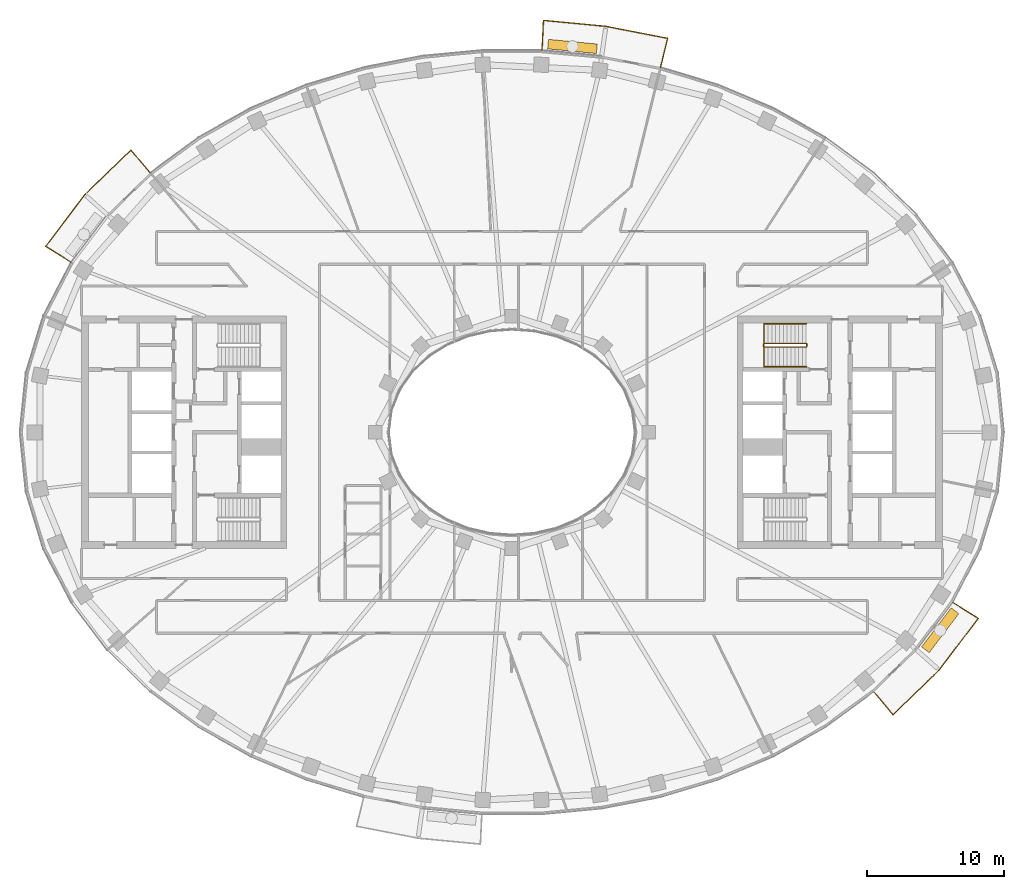
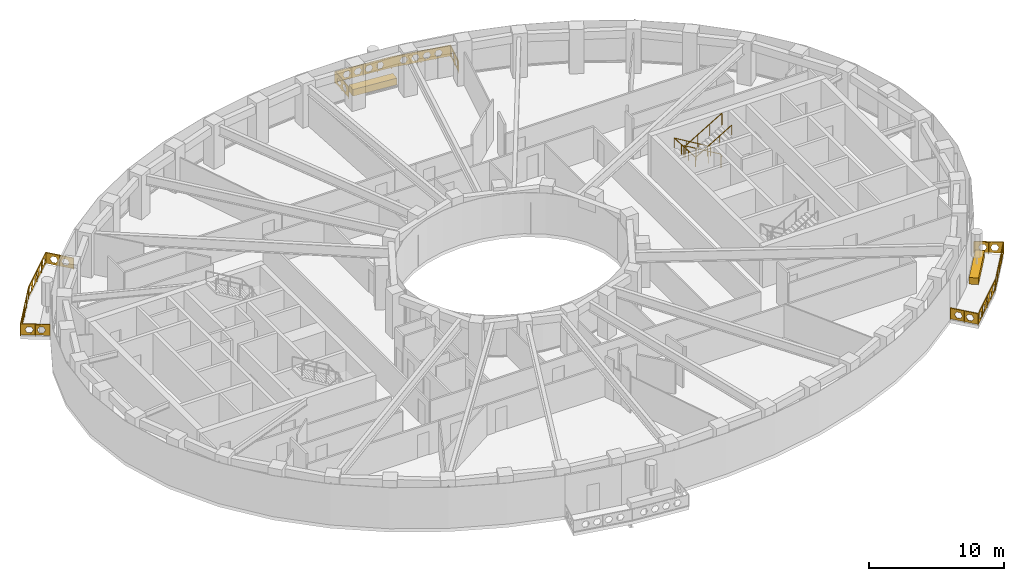
# One storey, part 15 of 16: 5 railings, 2 coverings.
"""IFC4 building model written with IfcOpenShell, lengths in metres."""

from ifc_helpers import new_model, si_unit, direction, frame, origin, origin_2d, place, context, subcontext, project, spatial, polyline, rectangle, outline, extrude, material, type_object, element, save


model = new_model("IFC4")

# Units and contexts
model_context = context("Model", 3, precision=1e-05, world=origin(), true_north=direction((0.0, 1.0)))
body_context = subcontext(model_context, "Body", "Model", "MODEL_VIEW")
ifc_project = project(units=[si_unit("LENGTHUNIT", "METRE"), si_unit("AREAUNIT", "SQUARE_METRE"), si_unit("VOLUMEUNIT", "CUBIC_METRE"), si_unit("PLANEANGLEUNIT", "RADIAN"), si_unit("MASSUNIT", "GRAM", prefix="KILO")], contexts=[model_context])

# Site, building, storey
site_placement = place(None, origin())
site = spatial("IfcSite", under=ifc_project, at=site_placement, CompositionType="ELEMENT")
building_placement = place(site_placement, origin())
building = spatial("IfcBuilding", under=site, at=building_placement, Name="Noorbagh Ring Tower", CompositionType="ELEMENT")
storey_placement = place(building_placement, frame((0.0, 0.0, 249.5)))
storey = spatial("IfcBuildingStorey", under=building, at=storey_placement, Name="L52", CompositionType="ELEMENT", Elevation=249.5)

# Railings
ifc_material_1 = material(Name="Stainless steel", Category="steel")
railing_type_1 = type_object("IfcRailingType", Name="CORE-STAIR-GUARD", PredefinedType="GUARDRAIL", material=ifc_material_1)
railing_1_placement = place(storey_placement, frame((21.580078125, 6.449951171875, 0.0)))
element("IfcRailing", 1, at=railing_1_placement, inside=storey, type_object=railing_type_1, Name="L52 ST3 stair guard", PredefinedType="GUARDRAIL", context=body_context, shape_type="SweptSolid", body=[
    extrude(rectangle(XDim=0.048095703125, YDim=0.048095703125, at=origin_2d()), frame((0.0, 0.0, 1.076171875), z_axis=(0.0, -1.0, 0.0), x_axis=(1.0, 0.0, 0.0)), (0.0, 0.0, 1.0), 0.14990234375),
    extrude(rectangle(XDim=0.048095703125, YDim=0.048095703125, at=origin_2d()), frame((0.0, -0.14990234375, 1.076171875), z_axis=(-0.188775798145, 0.754182335027, 0.628945707965), x_axis=(-0.970072785993, -0.242814311512, 0.0)), (0.0, 0.0, 1.0), 0.26513671875),
    extrude(rectangle(XDim=0.048095703125, YDim=0.048095703125, at=origin_2d()), frame((-0.050048828125, 0.050048828125, 1.24267578125), z_axis=(-0.859308565015, 0.0, 0.511457515432), x_axis=(0.0, -1.0, 0.0)), (0.0, 0.0, 1.0), 3.58447265625),
    extrude(rectangle(XDim=0.048095703125, YDim=0.048095703125, at=origin_2d()), frame((-3.130126953125, 0.050048828125, 3.076171875), z_axis=(-0.707106781187, -0.707106781187, 0.0), x_axis=(0.707106781187, -0.707106781187, 0.0)), (0.0, 0.0, 1.0), 0.07080078125),
    extrude(rectangle(XDim=0.048095703125, YDim=0.048095703125, at=origin_2d()), frame((-3.18017578125, 0.0, 3.076171875), z_axis=(0.0, -1.0, 0.0), x_axis=(1.0, 0.0, 0.0)), (0.0, 0.0, 1.0), 0.14990234375),
    extrude(rectangle(XDim=0.048095703125, YDim=0.048095703125, at=origin_2d()), frame((-3.18017578125, -0.14990234375, 3.076171875), z_axis=(0.27628659633, -0.27628659633, 0.920506074601), x_axis=(0.707106781187, 0.707106781187, 0.0)), (0.0, 0.0, 1.0), 0.18115234375),
    extrude(rectangle(XDim=0.048095703125, YDim=0.048095703125, at=origin_2d()), frame((-3.130126953125, -0.199951171875, 3.24267578125), z_axis=(0.859308565015, 0.0, 0.511457515432), x_axis=(0.0, 1.0, 0.0)), (0.0, 0.0, 1.0), 3.58447265625),
    extrude(rectangle(XDim=0.0419921875, YDim=0.0419921875, at=origin_2d()), origin(), (0.0, 0.0, 1.0), 1.052001953125),
    extrude(rectangle(XDim=0.0419921875, YDim=0.0419921875, at=origin_2d()), frame((-1.07666015625, 0.050048828125, 0.77783203125)), (0.0, 0.0, 1.0), 1.052001953125),
    extrude(rectangle(XDim=0.0419921875, YDim=0.0419921875, at=origin_2d()), frame((-2.103515625, 0.050048828125, 1.388916015625)), (0.0, 0.0, 1.0), 1.052001953125),
    extrude(rectangle(XDim=0.0419921875, YDim=0.0419921875, at=origin_2d()), frame((-3.130126953125, 0.050048828125, 2.0)), (0.0, 0.0, 1.0), 1.052001953125),
    extrude(rectangle(XDim=0.0419921875, YDim=0.0419921875, at=origin_2d()), frame((-3.130126953125, -0.199951171875, 2.166748046875)), (0.0, 0.0, 1.0), 1.052001953125),
    extrude(rectangle(XDim=0.0419921875, YDim=0.0419921875, at=origin_2d()), frame((-2.103515625, -0.199951171875, 2.77783203125)), (0.0, 0.0, 1.0), 1.052001953125),
    extrude(rectangle(XDim=0.0419921875, YDim=0.0419921875, at=origin_2d()), frame((-1.07666015625, -0.199951171875, 3.388916015625)), (0.0, 0.0, 1.0), 1.052001953125),
    extrude(rectangle(XDim=0.0419921875, YDim=0.0419921875, at=origin_2d()), frame((-0.050048828125, -0.199951171875, 4.0)), (0.0, 0.0, 1.0), 1.052001953125),
])
ifc_material_2 = material(Name="Stainless steel", Category="steel")
railing_type_2 = type_object("IfcRailingType", Name="CORE-STAIR-HANDRAIL", PredefinedType="HANDRAIL", material=ifc_material_2)
railing_2_placement = place(storey_placement, frame((21.530029296875, 7.949951171875, 0.166748046875)))
element("IfcRailing", 2, at=railing_2_placement, inside=storey, type_object=railing_type_2, Name="L52 ST3 stair handrail", PredefinedType="HANDRAIL", context=body_context, shape_type="SweptSolid", body=[
    extrude(rectangle(XDim=0.048095703125, YDim=0.048095703125, at=origin_2d()), frame((0.0, 0.0, 0.8759765625), z_axis=(-0.859308565015, 0.0, 0.511457515432), x_axis=(0.0, -1.0, 0.0)), (0.0, 0.0, 1.0), 3.58447265625),
    extrude(rectangle(XDim=0.048095703125, YDim=0.048095703125, at=origin_2d()), frame((-3.080078125, 0.0, 2.708984375), z_axis=(0.0, -0.998601747152, 0.052863509014), x_axis=(1.0, 0.0, 0.0)), (0.0, 0.0, 1.0), 3.154296875),
    extrude(rectangle(XDim=0.048095703125, YDim=0.048095703125, at=origin_2d()), frame((-3.080078125, -3.14990234375, 2.8759765625), z_axis=(0.859308565015, 0.0, 0.511457515432), x_axis=(0.0, 1.0, 0.0)), (0.0, 0.0, 1.0), 3.58447265625),
    extrude(rectangle(XDim=0.0419921875, YDim=0.0419921875, at=origin_2d()), origin(), (0.0, 0.0, 1.0), 0.851806640625),
    extrude(rectangle(XDim=0.0419921875, YDim=0.0419921875, at=origin_2d()), frame((-1.026611328125, 0.0, 0.611083984375)), (0.0, 0.0, 1.0), 0.851806640625),
    extrude(rectangle(XDim=0.0419921875, YDim=0.0419921875, at=origin_2d()), frame((-2.053466796875, 0.0, 1.22216796875)), (0.0, 0.0, 1.0), 0.851806640625),
    extrude(rectangle(XDim=0.0419921875, YDim=0.0419921875, at=origin_2d()), frame((-3.080078125, 0.0, 1.833251953125)), (0.0, 0.0, 1.0), 0.851806640625),
    extrude(rectangle(XDim=0.0419921875, YDim=0.0419921875, at=origin_2d()), frame((-3.080078125, -1.050048828125, 1.888916015625)), (0.0, 0.0, 1.0), 0.851806640625),
    extrude(rectangle(XDim=0.0419921875, YDim=0.0419921875, at=origin_2d()), frame((-3.080078125, -2.099853515625, 1.9443359375)), (0.0, 0.0, 1.0), 0.851806640625),
    extrude(rectangle(XDim=0.0419921875, YDim=0.0419921875, at=origin_2d()), frame((-3.080078125, -3.14990234375, 2.0)), (0.0, 0.0, 1.0), 0.851806640625),
    extrude(rectangle(XDim=0.0419921875, YDim=0.0419921875, at=origin_2d()), frame((-2.053466796875, -3.14990234375, 2.611083984375)), (0.0, 0.0, 1.0), 0.851806640625),
    extrude(rectangle(XDim=0.0419921875, YDim=0.0419921875, at=origin_2d()), frame((-1.026611328125, -3.14990234375, 3.22216796875)), (0.0, 0.0, 1.0), 0.851806640625),
    extrude(rectangle(XDim=0.0419921875, YDim=0.0419921875, at=origin_2d()), frame((0.0, -3.14990234375, 3.833251953125)), (0.0, 0.0, 1.0), 0.851806640625),
])
ifc_material_3 = material(Name="Steel S275 black powder-coated", Category="steel")
railing_type_3 = type_object("IfcRailingType", Name="ENV-GUARD", PredefinedType="GUARDRAIL", material=ifc_material_3)
railing_3_placement = place(storey_placement, frame((10.865234375, 26.6943359375, 0.0)))
element("IfcRailing", 3, at=railing_3_placement, inside=storey, type_object=railing_type_3, Name="Balcony guard BN03", PredefinedType="GUARDRAIL", context=body_context, shape_type="SweptSolid", body=[
    extrude(rectangle(XDim=0.048095703125, YDim=0.048095703125, at=origin_2d()), frame((0.0, 0.0, 1.076171875), z_axis=(0.239848558412, 0.970810315679, 0.0), x_axis=(-0.970810315679, 0.239848558412, 0.0)), (0.0, 0.0, 1.0), 2.20263671875),
    extrude(rectangle(XDim=0.048095703125, YDim=0.048095703125, at=origin_2d()), frame((0.5283203125, 2.138427734375, 1.076171875), z_axis=(-0.981625049064, 0.1908199755, 0.0), x_axis=(-0.1908199755, -0.981625049064, 0.0)), (0.0, 0.0, 1.0), 4.603271484375),
    extrude(rectangle(XDim=0.048095703125, YDim=0.048095703125, at=origin_2d()), frame((-3.990478515625, 3.016845703125, 1.076171875), z_axis=(-0.995477555764, 0.094997031379, 0.0), x_axis=(-0.094997031379, -0.995477555764, 0.0)), (0.0, 0.0, 1.0), 4.59765625),
    extrude(rectangle(XDim=0.048095703125, YDim=0.048095703125, at=origin_2d()), frame((-8.5673828125, 3.45361328125, 1.076171875), z_axis=(-0.047554616162, -0.998868639252, 0.0), x_axis=(0.998868639252, -0.047554616162, 0.0)), (0.0, 0.0, 1.0), 2.202392578125),
    extrude(rectangle(XDim=0.0419921875, YDim=0.0419921875, at=origin_2d()), origin(), (0.0, 0.0, 1.0), 1.052001953125),
    extrude(rectangle(XDim=0.0419921875, YDim=0.0419921875, at=origin_2d()), frame((0.26416015625, 1.0693359375, 0.0)), (0.0, 0.0, 1.0), 1.052001953125),
    extrude(rectangle(XDim=0.0419921875, YDim=0.0419921875, at=origin_2d()), frame((0.5283203125, 2.138427734375, 0.0)), (0.0, 0.0, 1.0), 1.052001953125),
    extrude(rectangle(XDim=0.0419921875, YDim=0.0419921875, at=origin_2d()), frame((-0.601318359375, 2.35791015625, 0.0)), (0.0, 0.0, 1.0), 1.052001953125),
    extrude(rectangle(XDim=0.0419921875, YDim=0.0419921875, at=origin_2d()), frame((-1.73095703125, 2.57763671875, 0.0)), (0.0, 0.0, 1.0), 1.052001953125),
    extrude(rectangle(XDim=0.0419921875, YDim=0.0419921875, at=origin_2d()), frame((-2.86083984375, 2.79736328125, 0.0)), (0.0, 0.0, 1.0), 1.052001953125),
    extrude(rectangle(XDim=0.0419921875, YDim=0.0419921875, at=origin_2d()), frame((-3.990478515625, 3.016845703125, 0.0)), (0.0, 0.0, 1.0), 1.052001953125),
    extrude(rectangle(XDim=0.0419921875, YDim=0.0419921875, at=origin_2d()), frame((-5.134765625, 3.1259765625, 0.0)), (0.0, 0.0, 1.0), 1.052001953125),
    extrude(rectangle(XDim=0.0419921875, YDim=0.0419921875, at=origin_2d()), frame((-6.27880859375, 3.2353515625, 0.0)), (0.0, 0.0, 1.0), 1.052001953125),
    extrude(rectangle(XDim=0.0419921875, YDim=0.0419921875, at=origin_2d()), frame((-7.423095703125, 3.344482421875, 0.0)), (0.0, 0.0, 1.0), 1.052001953125),
    extrude(rectangle(XDim=0.0419921875, YDim=0.0419921875, at=origin_2d()), frame((-8.5673828125, 3.45361328125, 0.0)), (0.0, 0.0, 1.0), 1.052001953125),
    extrude(rectangle(XDim=0.0419921875, YDim=0.0419921875, at=origin_2d()), frame((-8.61962890625, 2.353515625, 0.0)), (0.0, 0.0, 1.0), 1.052001953125),
    extrude(rectangle(XDim=0.0419921875, YDim=0.0419921875, at=origin_2d()), frame((-8.672119140625, 1.253662109375, 0.0)), (0.0, 0.0, 1.0), 1.052001953125),
    extrude(outline(polyline([(0.0, 0.10009765625), (2.20263671875, 0.10009765625), (2.20263671875, 1.031982421875), (0.0, 1.031982421875), (0.0, 0.10009765625)]), holes=[polyline([(0.96142578125, 0.56591796875), (0.806396484375, 0.83447265625), (0.496337890625, 0.83447265625), (0.34130859375, 0.56591796875), (0.496337890625, 0.297607421875), (0.806396484375, 0.297607421875), (0.96142578125, 0.56591796875)]), polyline([(1.861328125, 0.56591796875), (1.706298828125, 0.83447265625), (1.396240234375, 0.83447265625), (1.241455078125, 0.56591796875), (1.396240234375, 0.297607421875), (1.706298828125, 0.297607421875), (1.861328125, 0.56591796875)])]), frame((-0.009765625, 0.00244140625, 0.0), z_axis=(0.970810315679, -0.239848558412, 0.0), x_axis=(0.239848558412, 0.970810315679, 0.0)), (0.0, 0.0, 1.0), 0.02001953125),
    extrude(outline(polyline([(0.0, 0.10009765625), (4.603271484375, 0.10009765625), (4.603271484375, 1.031982421875), (0.0, 1.031982421875), (0.0, 0.10009765625)]), holes=[polyline([(1.26171875, 0.56591796875), (1.106689453125, 0.83447265625), (0.796630859375, 0.83447265625), (0.6416015625, 0.56591796875), (0.796630859375, 0.297607421875), (1.106689453125, 0.297607421875), (1.26171875, 0.56591796875)]), polyline([(2.16162109375, 0.56591796875), (2.006591796875, 0.83447265625), (1.69677734375, 0.83447265625), (1.541748046875, 0.56591796875), (1.69677734375, 0.297607421875), (2.006591796875, 0.297607421875), (2.16162109375, 0.56591796875)]), polyline([(3.061767578125, 0.56591796875), (2.90673828125, 0.83447265625), (2.5966796875, 0.83447265625), (2.441650390625, 0.56591796875), (2.5966796875, 0.297607421875), (2.90673828125, 0.297607421875), (3.061767578125, 0.56591796875)]), polyline([(3.961669921875, 0.56591796875), (3.806640625, 0.83447265625), (3.49658203125, 0.83447265625), (3.341796875, 0.56591796875), (3.49658203125, 0.297607421875), (3.806640625, 0.297607421875), (3.961669921875, 0.56591796875)])]), frame((0.5263671875, 2.128662109375, 0.0), z_axis=(0.1908199755, 0.981625049064, 0.0), x_axis=(-0.981625049064, 0.1908199755, 0.0)), (0.0, 0.0, 1.0), 0.02001953125),
    extrude(outline(polyline([(0.0, 0.10009765625), (4.59765625, 0.10009765625), (4.59765625, 1.031982421875), (0.0, 1.031982421875), (0.0, 0.10009765625)]), holes=[polyline([(1.2587890625, 0.56591796875), (1.103759765625, 0.83447265625), (0.7939453125, 0.83447265625), (0.638916015625, 0.56591796875), (0.7939453125, 0.297607421875), (1.103759765625, 0.297607421875), (1.2587890625, 0.56591796875)]), polyline([(2.158935546875, 0.56591796875), (2.00390625, 0.83447265625), (1.69384765625, 0.83447265625), (1.538818359375, 0.56591796875), (1.69384765625, 0.297607421875), (2.00390625, 0.297607421875), (2.158935546875, 0.56591796875)]), polyline([(3.058837890625, 0.56591796875), (2.90380859375, 0.83447265625), (2.59375, 0.83447265625), (2.43896484375, 0.56591796875), (2.59375, 0.297607421875), (2.90380859375, 0.297607421875), (3.058837890625, 0.56591796875)]), polyline([(3.958740234375, 0.56591796875), (3.803955078125, 0.83447265625), (3.493896484375, 0.83447265625), (3.3388671875, 0.56591796875), (3.493896484375, 0.297607421875), (3.803955078125, 0.297607421875), (3.958740234375, 0.56591796875)])]), frame((-3.991455078125, 3.0068359375, 0.0), z_axis=(0.094997031379, 0.995477555764, 0.0), x_axis=(-0.995477555764, 0.094997031379, 0.0)), (0.0, 0.0, 1.0), 0.02001953125),
    extrude(outline(polyline([(0.0, 0.10009765625), (2.202392578125, 0.10009765625), (2.202392578125, 1.031982421875), (0.0, 1.031982421875), (0.0, 0.10009765625)]), holes=[polyline([(0.961181640625, 0.56591796875), (0.80615234375, 0.83447265625), (0.496337890625, 0.83447265625), (0.34130859375, 0.56591796875), (0.496337890625, 0.297607421875), (0.80615234375, 0.297607421875), (0.961181640625, 0.56591796875)]), polyline([(1.861328125, 0.56591796875), (1.706298828125, 0.83447265625), (1.396240234375, 0.83447265625), (1.2412109375, 0.56591796875), (1.396240234375, 0.297607421875), (1.706298828125, 0.297607421875), (1.861328125, 0.56591796875)])]), frame((-8.557373046875, 3.453125, 0.0), z_axis=(-0.998868639252, 0.047554616162, 0.0), x_axis=(-0.047554616162, -0.998868639252, 0.0)), (0.0, 0.0, 1.0), 0.02001953125),
])
railing_4_placement = place(storey_placement, frame((-26.463134765625, 18.983154296875, 0.0)))
element("IfcRailing", 4, at=railing_4_placement, inside=storey, type_object=railing_type_3, Name="Balcony guard BN06", PredefinedType="GUARDRAIL", context=body_context, shape_type="SweptSolid", body=[
    extrude(rectangle(XDim=0.048095703125, YDim=0.048095703125, at=origin_2d()), frame((0.0, 0.0, 1.076171875), z_axis=(-0.646413574048, 0.762987215677, 0.0), x_axis=(-0.762987215677, -0.646413574048, 0.0)), (0.0, 0.0, 1.0), 2.205322265625),
    extrude(rectangle(XDim=0.048095703125, YDim=0.048095703125, at=origin_2d()), frame((-1.425537109375, 1.6826171875, 1.076171875), z_axis=(-0.717212632946, -0.696854388766, 0.0), x_axis=(0.696854388766, -0.717212632946, 0.0)), (0.0, 0.0, 1.0), 4.700927734375),
    extrude(rectangle(XDim=0.048095703125, YDim=0.048095703125, at=origin_2d()), frame((-4.797119140625, -1.59326171875, 1.076171875), z_axis=(-0.604001613322, -0.796983093362, 0.0), x_axis=(0.796983093362, -0.604001613322, 0.0)), (0.0, 0.0, 1.0), 4.7353515625),
    extrude(rectangle(XDim=0.048095703125, YDim=0.048095703125, at=origin_2d()), frame((-7.6572265625, -5.3671875, 1.076171875), z_axis=(0.844852397829, -0.534999463442, 0.0), x_axis=(0.534999463442, 0.844852397829, 0.0)), (0.0, 0.0, 1.0), 2.207763671875),
    extrude(rectangle(XDim=0.0419921875, YDim=0.0419921875, at=origin_2d()), origin(), (0.0, 0.0, 1.0), 1.052001953125),
    extrude(rectangle(XDim=0.0419921875, YDim=0.0419921875, at=origin_2d()), frame((-0.712890625, 0.84130859375, 0.0)), (0.0, 0.0, 1.0), 1.052001953125),
    extrude(rectangle(XDim=0.0419921875, YDim=0.0419921875, at=origin_2d()), frame((-1.425537109375, 1.6826171875, 0.0)), (0.0, 0.0, 1.0), 1.052001953125),
    extrude(rectangle(XDim=0.0419921875, YDim=0.0419921875, at=origin_2d()), frame((-2.2685546875, 0.86376953125, 0.0)), (0.0, 0.0, 1.0), 1.052001953125),
    extrude(rectangle(XDim=0.0419921875, YDim=0.0419921875, at=origin_2d()), frame((-3.111328125, 0.044677734375, 0.0)), (0.0, 0.0, 1.0), 1.052001953125),
    extrude(rectangle(XDim=0.0419921875, YDim=0.0419921875, at=origin_2d()), frame((-3.9541015625, -0.7744140625, 0.0)), (0.0, 0.0, 1.0), 1.052001953125),
    extrude(rectangle(XDim=0.0419921875, YDim=0.0419921875, at=origin_2d()), frame((-4.797119140625, -1.59326171875, 0.0)), (0.0, 0.0, 1.0), 1.052001953125),
    extrude(rectangle(XDim=0.0419921875, YDim=0.0419921875, at=origin_2d()), frame((-5.51220703125, -2.53662109375, 0.0)), (0.0, 0.0, 1.0), 1.052001953125),
    extrude(rectangle(XDim=0.0419921875, YDim=0.0419921875, at=origin_2d()), frame((-6.22705078125, -3.480224609375, 0.0)), (0.0, 0.0, 1.0), 1.052001953125),
    extrude(rectangle(XDim=0.0419921875, YDim=0.0419921875, at=origin_2d()), frame((-6.942138671875, -4.423828125, 0.0)), (0.0, 0.0, 1.0), 1.052001953125),
    extrude(rectangle(XDim=0.0419921875, YDim=0.0419921875, at=origin_2d()), frame((-7.6572265625, -5.3671875, 0.0)), (0.0, 0.0, 1.0), 1.052001953125),
    extrude(rectangle(XDim=0.0419921875, YDim=0.0419921875, at=origin_2d()), frame((-6.724609375, -5.957763671875, 0.0)), (0.0, 0.0, 1.0), 1.052001953125),
    extrude(rectangle(XDim=0.0419921875, YDim=0.0419921875, at=origin_2d()), frame((-5.7919921875, -6.54833984375, 0.0)), (0.0, 0.0, 1.0), 1.052001953125),
    extrude(outline(polyline([(0.0, 0.10009765625), (2.205322265625, 0.10009765625), (2.205322265625, 1.031982421875), (0.0, 1.031982421875), (0.0, 0.10009765625)]), holes=[polyline([(0.962646484375, 0.56591796875), (0.8076171875, 0.83447265625), (0.49755859375, 0.83447265625), (0.342529296875, 0.56591796875), (0.49755859375, 0.297607421875), (0.8076171875, 0.297607421875), (0.962646484375, 0.56591796875)]), polyline([(1.862548828125, 0.56591796875), (1.707763671875, 0.83447265625), (1.397705078125, 0.83447265625), (1.24267578125, 0.56591796875), (1.397705078125, 0.297607421875), (1.707763671875, 0.297607421875), (1.862548828125, 0.56591796875)])]), frame((-0.007568359375, -0.00634765625, 0.0), z_axis=(0.762987215677, 0.646413574048, 0.0), x_axis=(-0.646413574048, 0.762987215677, 0.0)), (0.0, 0.0, 1.0), 0.02001953125),
    extrude(outline(polyline([(0.0, 0.10009765625), (4.700927734375, 0.10009765625), (4.700927734375, 1.031982421875), (0.0, 1.031982421875), (0.0, 0.10009765625)]), holes=[polyline([(0.860595703125, 0.56591796875), (0.70556640625, 0.83447265625), (0.3955078125, 0.83447265625), (0.240478515625, 0.56591796875), (0.3955078125, 0.297607421875), (0.70556640625, 0.297607421875), (0.860595703125, 0.56591796875)]), polyline([(1.760498046875, 0.56591796875), (1.60546875, 0.83447265625), (1.29541015625, 0.83447265625), (1.140380859375, 0.56591796875), (1.29541015625, 0.297607421875), (1.60546875, 0.297607421875), (1.760498046875, 0.56591796875)]), polyline([(2.660400390625, 0.56591796875), (2.50537109375, 0.83447265625), (2.195556640625, 0.83447265625), (2.04052734375, 0.56591796875), (2.195556640625, 0.297607421875), (2.50537109375, 0.297607421875), (2.660400390625, 0.56591796875)]), polyline([(3.560546875, 0.56591796875), (3.405517578125, 0.83447265625), (3.095458984375, 0.83447265625), (2.9404296875, 0.56591796875), (3.095458984375, 0.297607421875), (3.405517578125, 0.297607421875), (3.560546875, 0.56591796875)]), polyline([(4.46044921875, 0.56591796875), (4.305419921875, 0.83447265625), (3.995361328125, 0.83447265625), (3.840576171875, 0.56591796875), (3.995361328125, 0.297607421875), (4.305419921875, 0.297607421875), (4.46044921875, 0.56591796875)])]), frame((-1.41845703125, 1.675537109375, 0.0), z_axis=(-0.696854388766, 0.717212632946, 0.0), x_axis=(-0.717212632946, -0.696854388766, 0.0)), (0.0, 0.0, 1.0), 0.02001953125),
    extrude(outline(polyline([(0.0, 0.10009765625), (4.7353515625, 0.10009765625), (4.7353515625, 1.031982421875), (0.0, 1.031982421875), (0.0, 0.10009765625)]), holes=[polyline([(0.877685546875, 0.56591796875), (0.72265625, 0.83447265625), (0.41259765625, 0.83447265625), (0.257568359375, 0.56591796875), (0.41259765625, 0.297607421875), (0.72265625, 0.297607421875), (0.877685546875, 0.56591796875)]), polyline([(1.777587890625, 0.56591796875), (1.62255859375, 0.83447265625), (1.312744140625, 0.83447265625), (1.15771484375, 0.56591796875), (1.312744140625, 0.297607421875), (1.62255859375, 0.297607421875), (1.777587890625, 0.56591796875)]), polyline([(2.677734375, 0.56591796875), (2.522705078125, 0.83447265625), (2.212646484375, 0.83447265625), (2.0576171875, 0.56591796875), (2.212646484375, 0.297607421875), (2.522705078125, 0.297607421875), (2.677734375, 0.56591796875)]), polyline([(3.57763671875, 0.56591796875), (3.422607421875, 0.83447265625), (3.112548828125, 0.83447265625), (2.95751953125, 0.56591796875), (3.112548828125, 0.297607421875), (3.422607421875, 0.297607421875), (3.57763671875, 0.56591796875)]), polyline([(4.4775390625, 0.56591796875), (4.32275390625, 0.83447265625), (4.0126953125, 0.83447265625), (3.857666015625, 0.56591796875), (4.0126953125, 0.297607421875), (4.32275390625, 0.297607421875), (4.4775390625, 0.56591796875)])]), frame((-4.7890625, -1.599365234375, 0.0), z_axis=(-0.796983093362, 0.604001613322, 0.0), x_axis=(-0.604001613322, -0.796983093362, 0.0)), (0.0, 0.0, 1.0), 0.02001953125),
    extrude(outline(polyline([(0.0, 0.10009765625), (2.207763671875, 0.10009765625), (2.207763671875, 1.031982421875), (0.0, 1.031982421875), (0.0, 0.10009765625)]), holes=[polyline([(0.9638671875, 0.56591796875), (0.808837890625, 0.83447265625), (0.498779296875, 0.83447265625), (0.343994140625, 0.56591796875), (0.498779296875, 0.297607421875), (0.808837890625, 0.297607421875), (0.9638671875, 0.56591796875)]), polyline([(1.86376953125, 0.56591796875), (1.708984375, 0.83447265625), (1.39892578125, 0.83447265625), (1.243896484375, 0.56591796875), (1.39892578125, 0.297607421875), (1.708984375, 0.297607421875), (1.86376953125, 0.56591796875)])]), frame((-7.65185546875, -5.358642578125, 0.0), z_axis=(-0.534999463442, -0.844852397829, 0.0), x_axis=(0.844852397829, -0.534999463442, 0.0)), (0.0, 0.0, 1.0), 0.02001953125),
])
railing_5_placement = place(storey_placement, frame((26.463134765625, -18.983154296875, 0.0)))
element("IfcRailing", 5, at=railing_5_placement, inside=storey, type_object=railing_type_3, Name="Balcony guard BS06", PredefinedType="GUARDRAIL", context=body_context, shape_type="SweptSolid", body=[
    extrude(rectangle(XDim=0.048095703125, YDim=0.048095703125, at=origin_2d()), frame((0.0, 0.0, 1.076171875), z_axis=(0.646413574048, -0.762987215677, 0.0), x_axis=(0.762987215677, 0.646413574048, 0.0)), (0.0, 0.0, 1.0), 2.205322265625),
    extrude(rectangle(XDim=0.048095703125, YDim=0.048095703125, at=origin_2d()), frame((1.425537109375, -1.6826171875, 1.076171875), z_axis=(0.717212632946, 0.696854388766, 0.0), x_axis=(-0.696854388766, 0.717212632946, 0.0)), (0.0, 0.0, 1.0), 4.700927734375),
    extrude(rectangle(XDim=0.048095703125, YDim=0.048095703125, at=origin_2d()), frame((4.797119140625, 1.59326171875, 1.076171875), z_axis=(0.604001613322, 0.796983093362, 0.0), x_axis=(-0.796983093362, 0.604001613322, 0.0)), (0.0, 0.0, 1.0), 4.7353515625),
    extrude(rectangle(XDim=0.048095703125, YDim=0.048095703125, at=origin_2d()), frame((7.6572265625, 5.3671875, 1.076171875), z_axis=(-0.844852397829, 0.534999463442, 0.0), x_axis=(-0.534999463442, -0.844852397829, 0.0)), (0.0, 0.0, 1.0), 2.207763671875),
    extrude(rectangle(XDim=0.0419921875, YDim=0.0419921875, at=origin_2d()), origin(), (0.0, 0.0, 1.0), 1.052001953125),
    extrude(rectangle(XDim=0.0419921875, YDim=0.0419921875, at=origin_2d()), frame((0.712890625, -0.84130859375, 0.0)), (0.0, 0.0, 1.0), 1.052001953125),
    extrude(rectangle(XDim=0.0419921875, YDim=0.0419921875, at=origin_2d()), frame((1.425537109375, -1.6826171875, 0.0)), (0.0, 0.0, 1.0), 1.052001953125),
    extrude(rectangle(XDim=0.0419921875, YDim=0.0419921875, at=origin_2d()), frame((2.2685546875, -0.86376953125, 0.0)), (0.0, 0.0, 1.0), 1.052001953125),
    extrude(rectangle(XDim=0.0419921875, YDim=0.0419921875, at=origin_2d()), frame((3.111328125, -0.044677734375, 0.0)), (0.0, 0.0, 1.0), 1.052001953125),
    extrude(rectangle(XDim=0.0419921875, YDim=0.0419921875, at=origin_2d()), frame((3.9541015625, 0.7744140625, 0.0)), (0.0, 0.0, 1.0), 1.052001953125),
    extrude(rectangle(XDim=0.0419921875, YDim=0.0419921875, at=origin_2d()), frame((4.797119140625, 1.59326171875, 0.0)), (0.0, 0.0, 1.0), 1.052001953125),
    extrude(rectangle(XDim=0.0419921875, YDim=0.0419921875, at=origin_2d()), frame((5.51220703125, 2.53662109375, 0.0)), (0.0, 0.0, 1.0), 1.052001953125),
    extrude(rectangle(XDim=0.0419921875, YDim=0.0419921875, at=origin_2d()), frame((6.22705078125, 3.480224609375, 0.0)), (0.0, 0.0, 1.0), 1.052001953125),
    extrude(rectangle(XDim=0.0419921875, YDim=0.0419921875, at=origin_2d()), frame((6.942138671875, 4.423828125, 0.0)), (0.0, 0.0, 1.0), 1.052001953125),
    extrude(rectangle(XDim=0.0419921875, YDim=0.0419921875, at=origin_2d()), frame((7.6572265625, 5.3671875, 0.0)), (0.0, 0.0, 1.0), 1.052001953125),
    extrude(rectangle(XDim=0.0419921875, YDim=0.0419921875, at=origin_2d()), frame((6.724609375, 5.957763671875, 0.0)), (0.0, 0.0, 1.0), 1.052001953125),
    extrude(rectangle(XDim=0.0419921875, YDim=0.0419921875, at=origin_2d()), frame((5.7919921875, 6.54833984375, 0.0)), (0.0, 0.0, 1.0), 1.052001953125),
    extrude(outline(polyline([(0.0, 0.10009765625), (2.205322265625, 0.10009765625), (2.205322265625, 1.031982421875), (0.0, 1.031982421875), (0.0, 0.10009765625)]), holes=[polyline([(0.962646484375, 0.56591796875), (0.8076171875, 0.83447265625), (0.49755859375, 0.83447265625), (0.342529296875, 0.56591796875), (0.49755859375, 0.297607421875), (0.8076171875, 0.297607421875), (0.962646484375, 0.56591796875)]), polyline([(1.862548828125, 0.56591796875), (1.707763671875, 0.83447265625), (1.397705078125, 0.83447265625), (1.24267578125, 0.56591796875), (1.397705078125, 0.297607421875), (1.707763671875, 0.297607421875), (1.862548828125, 0.56591796875)])]), frame((0.007568359375, 0.00634765625, 0.0), z_axis=(-0.762987215677, -0.646413574048, 0.0), x_axis=(0.646413574048, -0.762987215677, 0.0)), (0.0, 0.0, 1.0), 0.02001953125),
    extrude(outline(polyline([(0.0, 0.10009765625), (4.700927734375, 0.10009765625), (4.700927734375, 1.031982421875), (0.0, 1.031982421875), (0.0, 0.10009765625)]), holes=[polyline([(0.860595703125, 0.56591796875), (0.70556640625, 0.83447265625), (0.3955078125, 0.83447265625), (0.240478515625, 0.56591796875), (0.3955078125, 0.297607421875), (0.70556640625, 0.297607421875), (0.860595703125, 0.56591796875)]), polyline([(1.760498046875, 0.56591796875), (1.60546875, 0.83447265625), (1.29541015625, 0.83447265625), (1.140380859375, 0.56591796875), (1.29541015625, 0.297607421875), (1.60546875, 0.297607421875), (1.760498046875, 0.56591796875)]), polyline([(2.660400390625, 0.56591796875), (2.50537109375, 0.83447265625), (2.195556640625, 0.83447265625), (2.04052734375, 0.56591796875), (2.195556640625, 0.297607421875), (2.50537109375, 0.297607421875), (2.660400390625, 0.56591796875)]), polyline([(3.560546875, 0.56591796875), (3.405517578125, 0.83447265625), (3.095458984375, 0.83447265625), (2.9404296875, 0.56591796875), (3.095458984375, 0.297607421875), (3.405517578125, 0.297607421875), (3.560546875, 0.56591796875)]), polyline([(4.46044921875, 0.56591796875), (4.305419921875, 0.83447265625), (3.995361328125, 0.83447265625), (3.840576171875, 0.56591796875), (3.995361328125, 0.297607421875), (4.305419921875, 0.297607421875), (4.46044921875, 0.56591796875)])]), frame((1.41845703125, -1.675537109375, 0.0), z_axis=(0.696854388766, -0.717212632946, 0.0), x_axis=(0.717212632946, 0.696854388766, 0.0)), (0.0, 0.0, 1.0), 0.02001953125),
    extrude(outline(polyline([(0.0, 0.10009765625), (4.7353515625, 0.10009765625), (4.7353515625, 1.031982421875), (0.0, 1.031982421875), (0.0, 0.10009765625)]), holes=[polyline([(0.877685546875, 0.56591796875), (0.72265625, 0.83447265625), (0.41259765625, 0.83447265625), (0.257568359375, 0.56591796875), (0.41259765625, 0.297607421875), (0.72265625, 0.297607421875), (0.877685546875, 0.56591796875)]), polyline([(1.777587890625, 0.56591796875), (1.62255859375, 0.83447265625), (1.312744140625, 0.83447265625), (1.15771484375, 0.56591796875), (1.312744140625, 0.297607421875), (1.62255859375, 0.297607421875), (1.777587890625, 0.56591796875)]), polyline([(2.677734375, 0.56591796875), (2.522705078125, 0.83447265625), (2.212646484375, 0.83447265625), (2.0576171875, 0.56591796875), (2.212646484375, 0.297607421875), (2.522705078125, 0.297607421875), (2.677734375, 0.56591796875)]), polyline([(3.57763671875, 0.56591796875), (3.422607421875, 0.83447265625), (3.112548828125, 0.83447265625), (2.95751953125, 0.56591796875), (3.112548828125, 0.297607421875), (3.422607421875, 0.297607421875), (3.57763671875, 0.56591796875)]), polyline([(4.4775390625, 0.56591796875), (4.32275390625, 0.83447265625), (4.0126953125, 0.83447265625), (3.857666015625, 0.56591796875), (4.0126953125, 0.297607421875), (4.32275390625, 0.297607421875), (4.4775390625, 0.56591796875)])]), frame((4.7890625, 1.599365234375, 0.0), z_axis=(0.796983093362, -0.604001613322, 0.0), x_axis=(0.604001613322, 0.796983093362, 0.0)), (0.0, 0.0, 1.0), 0.02001953125),
    extrude(outline(polyline([(0.0, 0.10009765625), (2.207763671875, 0.10009765625), (2.207763671875, 1.031982421875), (0.0, 1.031982421875), (0.0, 0.10009765625)]), holes=[polyline([(0.9638671875, 0.56591796875), (0.808837890625, 0.83447265625), (0.498779296875, 0.83447265625), (0.343994140625, 0.56591796875), (0.498779296875, 0.297607421875), (0.808837890625, 0.297607421875), (0.9638671875, 0.56591796875)]), polyline([(1.86376953125, 0.56591796875), (1.708984375, 0.83447265625), (1.39892578125, 0.83447265625), (1.243896484375, 0.56591796875), (1.39892578125, 0.297607421875), (1.708984375, 0.297607421875), (1.86376953125, 0.56591796875)])]), frame((7.65185546875, 5.358642578125, 0.0), z_axis=(0.534999463442, 0.844852397829, 0.0), x_axis=(-0.844852397829, 0.534999463442, 0.0)), (0.0, 0.0, 1.0), 0.02001953125),
])

# Coverings
ifc_material_4 = material(Name="Concrete C30/37 planter with soil", Category="concrete")
covering_type = type_object("IfcCoveringType", Name="ENV-PLANTER", PredefinedType="CLADDING", material=ifc_material_4)
covering_1_placement = place(storey_placement, frame((4.423828125, 28.2373046875, 0.0), z_axis=(0.0, 0.0, 1.0), x_axis=(-0.995476497323, 0.095008122171, 0.0)))
element("IfcCovering", 6, at=covering_1_placement, inside=storey, type_object=covering_type, Name="PLANTER BN03", ObjectType="PLANTER", PredefinedType="CLADDING", context=body_context, shape_type="SweptSolid", body=[
    extrude(rectangle(XDim=3.58642578125, YDim=0.699951171875, at=origin_2d()), origin(), (0.0, 0.0, 1.0), 0.60009765625),
])
covering_2_placement = place(storey_placement, frame((31.329833984375, -14.4833984375, 0.0), z_axis=(0.0, 0.0, 1.0), x_axis=(0.604020184358, 0.796969018776, 0.0)))
element("IfcCovering", 7, at=covering_2_placement, inside=storey, type_object=covering_type, Name="PLANTER BS06", ObjectType="PLANTER", PredefinedType="CLADDING", context=body_context, shape_type="SweptSolid", body=[
    extrude(rectangle(XDim=3.583251953125, YDim=0.699951171875, at=origin_2d()), origin(), (0.0, 0.0, 1.0), 0.60009765625),
])

save(model, "model.ifc")
